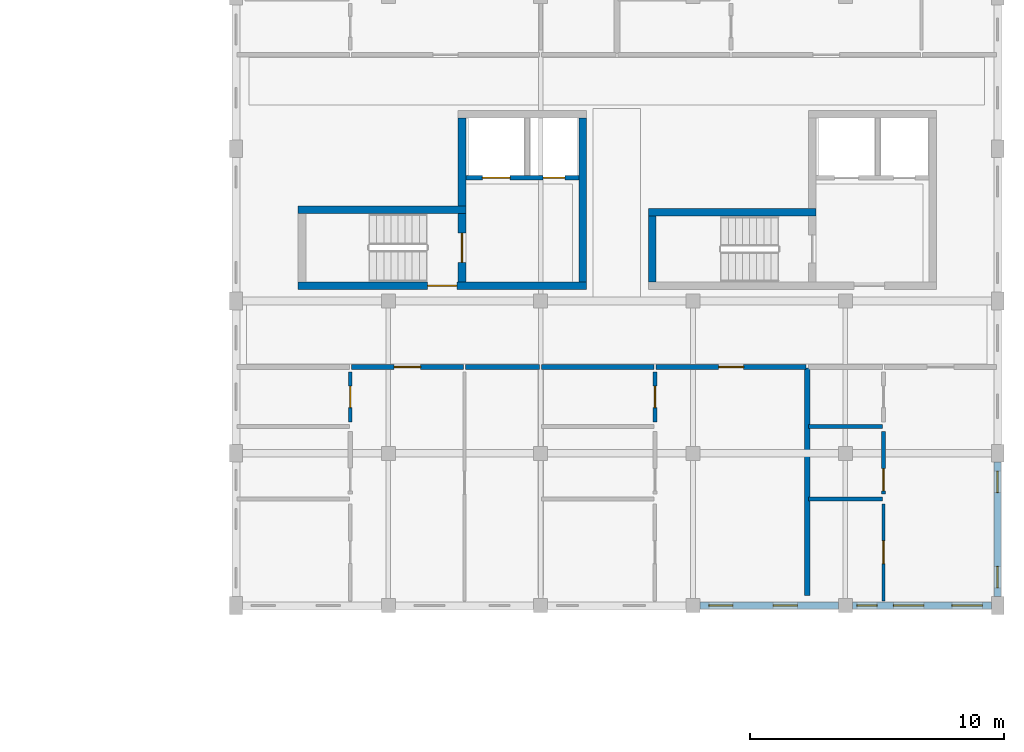
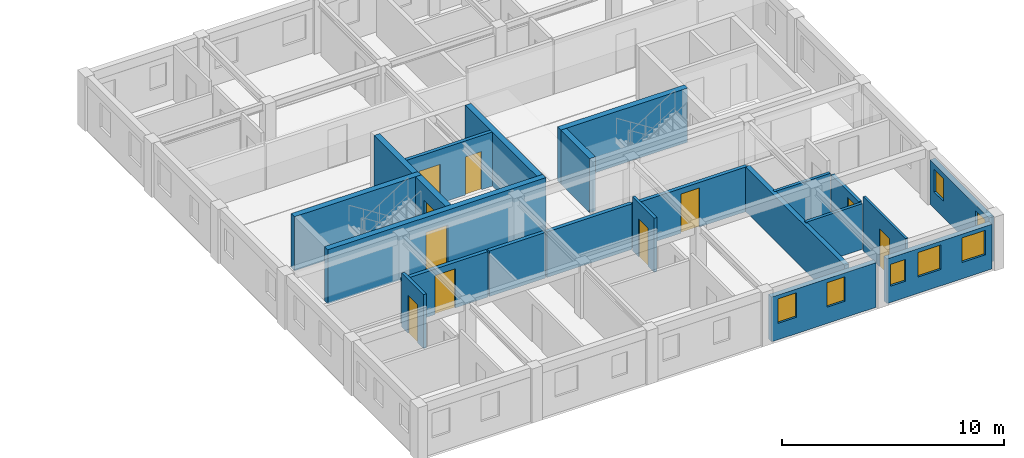
# One storey, part 21 of 28: 22 walls, 10 doors, 7 windows, 17 openings.
"""IFC4 building model written with IfcOpenShell, lengths in metres."""

from ifc_helpers import new_model, si_unit, direction, frame, frame_2d, origin, place, context, subcontext, project, spatial, rectangle, extrude, material, layer, layer_set, type_object, element, fill, save


model = new_model("IFC4")

# Units and contexts
model_context = context("Model", 3, precision=1e-05, world=origin(), true_north=direction((0.0, 1.0)))
body_context = subcontext(model_context, "Body", "Model", "MODEL_VIEW")
ifc_project = project(units=[si_unit("LENGTHUNIT", "METRE"), si_unit("AREAUNIT", "SQUARE_METRE"), si_unit("VOLUMEUNIT", "CUBIC_METRE"), si_unit("PLANEANGLEUNIT", "RADIAN"), si_unit("MASSUNIT", "GRAM", prefix="KILO"), si_unit("POWERUNIT", "WATT"), si_unit("THERMODYNAMICTEMPERATUREUNIT", "KELVIN")], contexts=[model_context])

# Site, building, storey
site_placement = place(None, origin())
site = spatial("IfcSite", under=ifc_project, at=site_placement, CompositionType="ELEMENT")
building_placement = place(site_placement, origin())
building = spatial("IfcBuilding", under=site, at=building_placement, Name="Ruvembo Vaulted Housing Court", CompositionType="ELEMENT")
storey_placement = place(building_placement, frame((0.0, 0.0, 23.699951171875)))
storey = spatial("IfcBuildingStorey", under=building, at=storey_placement, Name="L07", CompositionType="ELEMENT", Elevation=23.699951171875)

# Wall, opening, door
ifc_material_1 = material(Name="Concrete C35/45", Category="concrete")
ifc_layer_1 = layer(ifc_material_1, 0.300048828125, Name="Concrete C35/45")
ifc_layer_set_1 = layer_set([ifc_layer_1], Name="Concrete C35/45")
wall_type_1 = type_object("IfcWallType", Name="WL-CORE-300", PredefinedType="SHEAR", material=ifc_layer_set_1)
wall_1_placement = place(storey_placement, frame((158.449951171875, 84.60009765625, 0.0), z_axis=(0.0, 0.0, 1.0), x_axis=(1.0, 0.0, 0.0)))
wall_1 = element("IfcWall", 1, at=wall_1_placement, inside=storey, type_object=wall_type_1, Name="Core D1 L07 South Shear Wall", PredefinedType="SHEAR", context=body_context, shape_type="SweptSolid", body=[
    extrude(rectangle(XDim=11.35009765625, YDim=0.300048828125, at=frame_2d((5.675048828125, 0.0))), origin(), (0.0, 0.0, 1.0), 2.97509765625),
])
opening_1_placement = place(wall_1_placement, frame((5.10009765625, 0.0, 0.0)))
opening_1 = element("IfcOpeningElement", 2, at=opening_1_placement, cuts=wall_1, Name="Opening LD0", PredefinedType="OPENING", context=body_context, shape_type="SweptSolid", body=[
    extrude(rectangle(XDim=1.14990234375, YDim=2.14990234375, at=frame_2d((0.574951171875, 1.074951171875))), frame((0.0, 0.159912109375, 0.0), z_axis=(0.0, -1.0, 0.0), x_axis=(1.0, 0.0, 0.0)), (0.0, 0.0, 1.0), 0.320068359375),
])
ifc_material_2 = material(Name="Galvanised Painted Steel", Category="steel")
door_type_1 = type_object("IfcDoorType", Name="DR-LOB-1150x2150", OperationType="NOTDEFINED", PredefinedType="DOOR", material=ifc_material_2)
door_1_placement = place(opening_1_placement, origin())
door_1 = element("IfcDoor", 3, at=door_1_placement, inside=storey, type_object=door_type_1, Name="Core D1 L07 Lobby Fire Door", OperationType="SINGLE_SWING_LEFT", OverallHeight=2.14990234375, OverallWidth=1.14990234375, PredefinedType="DOOR", context=body_context, shape_type="SweptSolid", body=[
    extrude(rectangle(XDim=1.14990234375, YDim=2.14990234375, at=frame_2d((0.574951171875, 1.074951171875))), frame((0.0, 0.02490234375, 0.0), z_axis=(0.0, -1.0, 0.0), x_axis=(1.0, 0.0, 0.0)), (0.0, 0.0, 1.0), 0.050048828125),
])
fill(opening_1, door_1)

# Wall
wall_2_placement = place(storey_placement, frame((165.050048828125, 87.60009765625, 0.0), z_axis=(0.0, 0.0, 1.0), x_axis=(-1.0, 0.0, 0.0)))
element("IfcWall", 4, at=wall_2_placement, inside=storey, type_object=wall_type_1, Name="Core D1 L07 Stair North Shear Wall", PredefinedType="SHEAR", context=body_context, shape_type="SweptSolid", body=[
    extrude(rectangle(XDim=6.60009765625, YDim=0.300048828125, at=frame_2d((3.300048828125, 0.0))), origin(), (0.0, 0.0, 1.0), 2.97509765625),
])

# Wall, opening, door
wall_3_placement = place(storey_placement, frame((164.89990234375, 84.75, 0.0), z_axis=(0.0, 0.0, 1.0), x_axis=(0.0, 1.0, 0.0)))
wall_3 = element("IfcWall", 5, at=wall_3_placement, inside=storey, type_object=wall_type_1, Name="Core D1 L07 Stair-Lobby Shear Wall", PredefinedType="SHEAR", context=body_context, shape_type="SweptSolid", body=[
    extrude(rectangle(XDim=2.699951171875, YDim=0.300048828125, at=frame_2d((1.35009765625, 0.0))), origin(), (0.0, 0.0, 1.0), 2.97509765625),
])
opening_2_placement = place(wall_3_placement, frame((0.77490234375, 0.0, 0.0)))
opening_2 = element("IfcOpeningElement", 6, at=opening_2_placement, cuts=wall_3, Name="Opening SD1", PredefinedType="OPENING", context=body_context, shape_type="SweptSolid", body=[
    extrude(rectangle(XDim=1.14990234375, YDim=2.14990234375, at=frame_2d((0.574951171875, 1.074951171875))), frame((0.0, 0.159912109375, 0.0), z_axis=(0.0, -1.0, 0.0), x_axis=(1.0, 0.0, 0.0)), (0.0, 0.0, 1.0), 0.320068359375),
])
door_type_2 = type_object("IfcDoorType", Name="DR-STAIR-1150x2150", OperationType="NOTDEFINED", PredefinedType="DOOR", material=ifc_material_2)
door_2_placement = place(opening_2_placement, origin())
door_2 = element("IfcDoor", 7, at=door_2_placement, inside=storey, type_object=door_type_2, Name="Stair ST-D1 L07 Fire Door", OperationType="SINGLE_SWING_RIGHT", OverallHeight=2.14990234375, OverallWidth=1.14990234375, PredefinedType="DOOR", context=body_context, shape_type="SweptSolid", body=[
    extrude(rectangle(XDim=1.14990234375, YDim=2.14990234375, at=frame_2d((0.574951171875, 1.074951171875))), frame((0.0, 0.02490234375, 0.0), z_axis=(0.0, -1.0, 0.0), x_axis=(1.0, 0.0, 0.0)), (0.0, 0.0, 1.0), 0.050048828125),
])
fill(opening_2, door_2)

# Walls
wall_4_placement = place(storey_placement, frame((169.64990234375, 84.75, 0.0), z_axis=(0.0, 0.0, 1.0), x_axis=(0.0, 1.0, 0.0)))
element("IfcWall", 8, at=wall_4_placement, inside=storey, type_object=wall_type_1, Name="Core D1 L07 East Shear Wall", PredefinedType="SHEAR", context=body_context, shape_type="SweptSolid", body=[
    extrude(rectangle(XDim=6.449951171875, YDim=0.300048828125, at=frame_2d((3.22509765625, 0.0))), origin(), (0.0, 0.0, 1.0), 2.97509765625),
])
wall_5_placement = place(storey_placement, frame((164.89990234375, 87.75, 0.0), z_axis=(0.0, 0.0, 1.0), x_axis=(0.0, 1.0, 0.0)))
element("IfcWall", 9, at=wall_5_placement, inside=storey, type_object=wall_type_1, Name="Core D1 L07 Upper West Shear Wall", PredefinedType="SHEAR", context=body_context, shape_type="SweptSolid", body=[
    extrude(rectangle(XDim=3.449951171875, YDim=0.300048828125, at=frame_2d((1.72509765625, 0.0))), origin(), (0.0, 0.0, 1.0), 2.97509765625),
])
wall_6_placement = place(storey_placement, frame((178.85009765625, 87.5, 0.0), z_axis=(0.0, 0.0, 1.0), x_axis=(-1.0, 0.0, 0.0)))
element("IfcWall", 10, at=wall_6_placement, inside=storey, type_object=wall_type_1, Name="Core D2 L07 Stair North Shear Wall", PredefinedType="SHEAR", context=body_context, shape_type="SweptSolid", body=[
    extrude(rectangle(XDim=6.60009765625, YDim=0.300048828125, at=frame_2d((3.300048828125, 0.0))), origin(), (0.0, 0.0, 1.0), 2.97509765625),
])
wall_7_placement = place(storey_placement, frame((172.39990234375, 87.35009765625, 0.0), z_axis=(0.0, 0.0, 1.0), x_axis=(0.0, -1.0, 0.0)))
element("IfcWall", 11, at=wall_7_placement, inside=storey, type_object=wall_type_1, Name="Core D2 L07 Stair West Shear Wall", PredefinedType="SHEAR", context=body_context, shape_type="SweptSolid", body=[
    extrude(rectangle(XDim=2.60009765625, YDim=0.300048828125, at=frame_2d((1.300048828125, 0.0))), origin(), (0.0, 0.0, 1.0), 2.97509765625),
])

# Wall, opening, door
ifc_material_3 = material(Name="Concrete Blockwork 190", Category="masonry")
ifc_layer_2 = layer(ifc_material_3, 0.18994140625, Name="Concrete Blockwork 190")
ifc_layer_set_2 = layer_set([ifc_layer_2], Name="Concrete Blockwork 190")
wall_type_2 = type_object("IfcWallType", Name="WL-CORR-190", PredefinedType="SOLIDWALL", material=ifc_layer_set_2)
wall_8_placement = place(storey_placement, frame((160.5400390625, 81.39990234375, 0.0), z_axis=(0.0, 0.0, 1.0), x_axis=(1.0, 0.0, 0.0)))
wall_8 = element("IfcWall", 12, at=wall_8_placement, inside=storey, type_object=wall_type_2, Name="L07 Flat D-L07-S1 Entrance WL-INT-L07-01975", PredefinedType="SOLIDWALL", context=body_context, shape_type="SweptSolid", body=[
    extrude(rectangle(XDim=4.419921875, YDim=0.18994140625, at=frame_2d((2.2099609375, 0.0))), origin(), (0.0, 0.0, 1.0), 2.508056640625),
])
opening_3_placement = place(wall_8_placement, frame((1.68505859375, 0.0, 0.0)))
opening_3 = element("IfcOpeningElement", 13, at=opening_3_placement, cuts=wall_8, Name="Opening FD3", PredefinedType="OPENING", context=body_context, shape_type="SweptSolid", body=[
    extrude(rectangle(XDim=1.050048828125, YDim=2.14990234375, at=frame_2d((0.52490234375, 1.074951171875))), frame((0.0, 0.10498046875, 0.0), z_axis=(0.0, -1.0, 0.0), x_axis=(1.0, 0.0, 0.0)), (0.0, 0.0, 1.0), 0.2099609375),
])
ifc_material_4 = material(Name="FSC Hardwood and Engineered Timber", Category="wood")
door_type_3 = type_object("IfcDoorType", Name="DR-FLAT-1050x2150", OperationType="NOTDEFINED", PredefinedType="DOOR", material=ifc_material_4)
door_3_placement = place(opening_3_placement, origin())
door_3 = element("IfcDoor", 14, at=door_3_placement, inside=storey, type_object=door_type_3, Name="L07 Flat D-L07-S1 Entrance Door DR-INT-L07-01106", OperationType="SINGLE_SWING_RIGHT", OverallHeight=2.14990234375, OverallWidth=1.050048828125, PredefinedType="DOOR", context=body_context, shape_type="SweptSolid", body=[
    extrude(rectangle(XDim=1.050048828125, YDim=2.14990234375, at=frame_2d((0.52490234375, 1.074951171875))), frame((0.0, 0.02490234375, 0.0), z_axis=(0.0, -1.0, 0.0), x_axis=(1.0, 0.0, 0.0)), (0.0, 0.0, 1.0), 0.050048828125),
])
fill(opening_3, door_3)

# Walls
wall_9_placement = place(storey_placement, frame((165.0400390625, 81.39990234375, 0.0), z_axis=(0.0, 0.0, 1.0), x_axis=(1.0, 0.0, 0.0)))
element("IfcWall", 15, at=wall_9_placement, inside=storey, type_object=wall_type_2, Name="L07 Flat D-L07-S1 Corridor Wall 2 WL-INT-L07-01981", PredefinedType="SOLIDWALL", context=body_context, shape_type="SweptSolid", body=[
    extrude(rectangle(XDim=2.919921875, YDim=0.18994140625, at=frame_2d((1.4599609375, 0.0))), origin(), (0.0, 0.0, 1.0), 2.508056640625),
])
wall_10_placement = place(storey_placement, frame((168.0400390625, 81.39990234375, 0.0), z_axis=(0.0, 0.0, 1.0), x_axis=(1.0, 0.0, 0.0)))
element("IfcWall", 16, at=wall_10_placement, inside=storey, type_object=wall_type_2, Name="L07 Flat D-L07-S2 Corridor Wall WL-INT-L07-01984", PredefinedType="SOLIDWALL", context=body_context, shape_type="SweptSolid", body=[
    extrude(rectangle(XDim=4.419921875, YDim=0.18994140625, at=frame_2d((2.2099609375, 0.0))), origin(), (0.0, 0.0, 1.0), 2.508056640625),
])

# Wall, opening, door
wall_11_placement = place(storey_placement, frame((172.5400390625, 81.39990234375, 0.0), z_axis=(0.0, 0.0, 1.0), x_axis=(1.0, 0.0, 0.0)))
wall_11 = element("IfcWall", 17, at=wall_11_placement, inside=storey, type_object=wall_type_2, Name="L07 Flat D-L07-S2 Entrance WL-INT-L07-01985", PredefinedType="SOLIDWALL", context=body_context, shape_type="SweptSolid", body=[
    extrude(rectangle(XDim=5.919921875, YDim=0.18994140625, at=frame_2d((2.9599609375, 0.0))), origin(), (0.0, 0.0, 1.0), 2.4580078125),
])
opening_4_placement = place(wall_11_placement, frame((2.469970703125, 0.0, 0.0)))
opening_4 = element("IfcOpeningElement", 18, at=opening_4_placement, cuts=wall_11, Name="Opening FD2", PredefinedType="OPENING", context=body_context, shape_type="SweptSolid", body=[
    extrude(rectangle(XDim=0.97998046875, YDim=2.14990234375, at=frame_2d((0.489990234375, 1.074951171875))), frame((0.0, 0.10498046875, 0.0), z_axis=(0.0, -1.0, 0.0), x_axis=(1.0, 0.0, 0.0)), (0.0, 0.0, 1.0), 0.2099609375),
])
door_type_4 = type_object("IfcDoorType", Name="DR-FLAT-0980x2150", OperationType="NOTDEFINED", PredefinedType="DOOR", material=ifc_material_4)
door_4_placement = place(opening_4_placement, origin())
door_4 = element("IfcDoor", 19, at=door_4_placement, inside=storey, type_object=door_type_4, Name="L07 Flat D-L07-S2 Entrance Door DR-INT-L07-01111", OperationType="SINGLE_SWING_LEFT", OverallHeight=2.14990234375, OverallWidth=0.97998046875, PredefinedType="DOOR", context=body_context, shape_type="SweptSolid", body=[
    extrude(rectangle(XDim=0.97998046875, YDim=2.14990234375, at=frame_2d((0.489990234375, 1.074951171875))), frame((0.0, 0.02490234375, 0.0), z_axis=(0.0, -1.0, 0.0), x_axis=(1.0, 0.0, 0.0)), (0.0, 0.0, 1.0), 0.050048828125),
])
fill(opening_4, door_4)

# Wall
ifc_material_5 = material(Name="Acoustic Masonry Demising 230", Category="masonry")
ifc_layer_3 = layer(ifc_material_5, 0.22998046875, Name="Acoustic Masonry Demising 230")
ifc_layer_set_3 = layer_set([ifc_layer_3], Name="Acoustic Masonry Demising 230")
wall_type_3 = type_object("IfcWallType", Name="WL-DEM-230", PredefinedType="SOLIDWALL", material=ifc_layer_set_3)
wall_12_placement = place(storey_placement, frame((178.5, 72.389892578125, 0.0), z_axis=(0.0, 0.0, 1.0), x_axis=(0.0, 1.0, 0.0)))
element("IfcWall", 20, at=wall_12_placement, inside=storey, type_object=wall_type_3, Name="L07 Demising D-L07-S2 WL-INT-L07-01983", PredefinedType="SOLIDWALL", context=body_context, shape_type="SweptSolid", body=[
    extrude(rectangle(XDim=8.97021484375, YDim=0.22998046875, at=frame_2d((4.485107421875, 0.0))), origin(), (0.0, 0.0, 1.0), 2.45703125),
])

# Wall, openings, windows
ifc_material_6 = material(Name="Rendered Masonry 270", Category="masonry")
ifc_layer_4 = layer(ifc_material_6, 0.27001953125, Name="Rendered Masonry 270")
ifc_layer_set_4 = layer_set([ifc_layer_4], Name="Rendered Masonry 270")
wall_type_4 = type_object("IfcWallType", Name="WL-EXT-270", PredefinedType="STANDARD", material=ifc_layer_set_4)
wall_13_placement = place(storey_placement, frame((174.27490234375, 72.0, 0.0), z_axis=(0.0, 0.0, 1.0), x_axis=(1.0, 0.0, 0.0)))
wall_13 = element("IfcWall", 21, at=wall_13_placement, inside=storey, type_object=wall_type_4, Name="Block D L07 Exterior Wall COURTYARD #4", PredefinedType="STANDARD", context=body_context, shape_type="SweptSolid", body=[
    extrude(rectangle(XDim=5.4501953125, YDim=0.27001953125, at=frame_2d((2.72509765625, 0.0))), origin(), (0.0, 0.0, 1.0), 2.45703125),
])
opening_5_placement = place(wall_13_placement, frame((0.35009765625, 0.0, 0.89990234375)))
opening_5 = element("IfcOpeningElement", 22, at=opening_5_placement, cuts=wall_13, Name="Opening W07", PredefinedType="OPENING", context=body_context, shape_type="SweptSolid", body=[
    extrude(rectangle(XDim=0.949951171875, YDim=1.35009765625, at=frame_2d((0.47509765625, 0.675048828125))), frame((0.0, 0.14501953125, 0.0), z_axis=(0.0, -1.0, 0.0), x_axis=(1.0, 0.0, 0.0)), (0.0, 0.0, 1.0), 0.2900390625),
])
opening_6_placement = place(wall_13_placement, frame((2.885009765625, 0.0, 0.89990234375)))
opening_6 = element("IfcOpeningElement", 23, at=opening_6_placement, cuts=wall_13, Name="Opening W07", PredefinedType="OPENING", context=body_context, shape_type="SweptSolid", body=[
    extrude(rectangle(XDim=0.949951171875, YDim=1.35009765625, at=frame_2d((0.47509765625, 0.675048828125))), frame((0.0, 0.14501953125, 0.0), z_axis=(0.0, -1.0, 0.0), x_axis=(1.0, 0.0, 0.0)), (0.0, 0.0, 1.0), 0.2900390625),
])
ifc_material_7 = material(Name="Double Solar-Control Glazing in Aluminium Frame", Category="aluminium")
window_type_1 = type_object("IfcWindowType", Name="WIN-0950x1350", PartitioningType="SINGLE_PANEL", PredefinedType="WINDOW", material=ifc_material_7)
window_1_placement = place(opening_5_placement, origin())
window_1 = element("IfcWindow", 24, at=window_1_placement, inside=storey, type_object=window_type_1, Name="Block D L07 Window #1749", OverallHeight=1.35009765625, OverallWidth=0.949951171875, PartitioningType="SINGLE_PANEL", PredefinedType="WINDOW", context=body_context, shape_type="SweptSolid", body=[
    extrude(rectangle(XDim=0.949951171875, YDim=1.35009765625, at=frame_2d((0.47509765625, 0.675048828125))), frame((0.0, 0.030029296875, 0.0), z_axis=(0.0, -1.0, 0.0), x_axis=(1.0, 0.0, 0.0)), (0.0, 0.0, 1.0), 0.06005859375),
])
fill(opening_5, window_1)
window_2_placement = place(opening_6_placement, origin())
window_2 = element("IfcWindow", 25, at=window_2_placement, inside=storey, type_object=window_type_1, Name="Block D L07 Window #1750", OverallHeight=1.35009765625, OverallWidth=0.949951171875, PartitioningType="SINGLE_PANEL", PredefinedType="WINDOW", context=body_context, shape_type="SweptSolid", body=[
    extrude(rectangle(XDim=0.949951171875, YDim=1.35009765625, at=frame_2d((0.47509765625, 0.675048828125))), frame((0.0, 0.030029296875, 0.0), z_axis=(0.0, -1.0, 0.0), x_axis=(1.0, 0.0, 0.0)), (0.0, 0.0, 1.0), 0.06005859375),
])
fill(opening_6, window_2)

wall_14_placement = place(storey_placement, frame((180.27490234375, 72.0, 0.0), z_axis=(0.0, 0.0, 1.0), x_axis=(1.0, 0.0, 0.0)))
wall_14 = element("IfcWall", 26, at=wall_14_placement, inside=storey, type_object=wall_type_4, Name="Block D L07 Exterior Wall COURTYARD #5", PredefinedType="STANDARD", context=body_context, shape_type="SweptSolid", body=[
    extrude(rectangle(XDim=5.47509765625, YDim=0.27001953125, at=frame_2d((2.737548828125, 0.0))), origin(), (0.0, 0.0, 1.0), 2.45703125),
])
opening_7_placement = place(wall_14_placement, frame((1.614990234375, 0.0, 0.89990234375)))
opening_7 = element("IfcOpeningElement", 27, at=opening_7_placement, cuts=wall_14, Name="Opening W12", PredefinedType="OPENING", context=body_context, shape_type="SweptSolid", body=[
    extrude(rectangle(XDim=1.199951171875, YDim=1.35009765625, at=frame_2d((0.60009765625, 0.675048828125))), frame((0.0, 0.14501953125, 0.0), z_axis=(0.0, -1.0, 0.0), x_axis=(1.0, 0.0, 0.0)), (0.0, 0.0, 1.0), 0.2900390625),
])
opening_8_placement = place(wall_14_placement, frame((3.925048828125, 0.0, 0.89990234375)))
opening_8 = element("IfcOpeningElement", 28, at=opening_8_placement, cuts=wall_14, Name="Opening W12", PredefinedType="OPENING", context=body_context, shape_type="SweptSolid", body=[
    extrude(rectangle(XDim=1.199951171875, YDim=1.35009765625, at=frame_2d((0.60009765625, 0.675048828125))), frame((0.0, 0.14501953125, 0.0), z_axis=(0.0, -1.0, 0.0), x_axis=(1.0, 0.0, 0.0)), (0.0, 0.0, 1.0), 0.2900390625),
])
opening_9_placement = place(wall_14_placement, frame((0.18115234375, 0.0, 0.89990234375)))
opening_9 = element("IfcOpeningElement", 29, at=opening_9_placement, cuts=wall_14, Name="Opening W02", PredefinedType="OPENING", context=body_context, shape_type="SweptSolid", body=[
    extrude(rectangle(XDim=0.800048828125, YDim=1.199951171875, at=frame_2d((0.39990234375, 0.60009765625))), frame((0.0, 0.14501953125, 0.0), z_axis=(0.0, -1.0, 0.0), x_axis=(1.0, 0.0, 0.0)), (0.0, 0.0, 1.0), 0.2900390625),
])
window_type_2 = type_object("IfcWindowType", Name="WIN-0800x1200", PartitioningType="SINGLE_PANEL", PredefinedType="WINDOW", material=ifc_material_7)
window_3_placement = place(opening_9_placement, origin())
window_3 = element("IfcWindow", 30, at=window_3_placement, inside=storey, type_object=window_type_2, Name="Block D L07 Window #2080", OverallHeight=1.199951171875, OverallWidth=0.800048828125, PartitioningType="SINGLE_PANEL", PredefinedType="WINDOW", context=body_context, shape_type="SweptSolid", body=[
    extrude(rectangle(XDim=0.800048828125, YDim=1.199951171875, at=frame_2d((0.39990234375, 0.60009765625))), frame((0.0, 0.030029296875, 0.0), z_axis=(0.0, -1.0, 0.0), x_axis=(1.0, 0.0, 0.0)), (0.0, 0.0, 1.0), 0.06005859375),
])
fill(opening_9, window_3)
window_type_3 = type_object("IfcWindowType", Name="WIN-1200x1350", PartitioningType="SINGLE_PANEL", PredefinedType="WINDOW", material=ifc_material_7)
window_4_placement = place(opening_7_placement, origin())
window_4 = element("IfcWindow", 31, at=window_4_placement, inside=storey, type_object=window_type_3, Name="Block D L07 Window #1751", OverallHeight=1.35009765625, OverallWidth=1.199951171875, PartitioningType="SINGLE_PANEL", PredefinedType="WINDOW", context=body_context, shape_type="SweptSolid", body=[
    extrude(rectangle(XDim=1.199951171875, YDim=1.35009765625, at=frame_2d((0.60009765625, 0.675048828125))), frame((0.0, 0.030029296875, 0.0), z_axis=(0.0, -1.0, 0.0), x_axis=(1.0, 0.0, 0.0)), (0.0, 0.0, 1.0), 0.06005859375),
])
fill(opening_7, window_4)
window_5_placement = place(opening_8_placement, origin())
window_5 = element("IfcWindow", 32, at=window_5_placement, inside=storey, type_object=window_type_3, Name="Block D L07 Window #1752", OverallHeight=1.35009765625, OverallWidth=1.199951171875, PartitioningType="SINGLE_PANEL", PredefinedType="WINDOW", context=body_context, shape_type="SweptSolid", body=[
    extrude(rectangle(XDim=1.199951171875, YDim=1.35009765625, at=frame_2d((0.60009765625, 0.675048828125))), frame((0.0, 0.030029296875, 0.0), z_axis=(0.0, -1.0, 0.0), x_axis=(1.0, 0.0, 0.0)), (0.0, 0.0, 1.0), 0.06005859375),
])
fill(opening_8, window_5)

wall_15_placement = place(storey_placement, frame((186.0, 72.35009765625, 0.0), z_axis=(0.0, 0.0, 1.0), x_axis=(0.0, 1.0, 0.0)))
wall_15 = element("IfcWall", 33, at=wall_15_placement, inside=storey, type_object=wall_type_4, Name="Block D L07 Exterior Wall EAST #1", PredefinedType="STANDARD", context=body_context, shape_type="SweptSolid", body=[
    extrude(rectangle(XDim=5.2998046875, YDim=0.27001953125, at=frame_2d((2.64990234375, 0.0))), origin(), (0.0, 0.0, 1.0), 2.45703125),
])
opening_10_placement = place(wall_15_placement, frame((0.35009765625, 0.0, 0.89990234375)))
opening_10 = element("IfcOpeningElement", 34, at=opening_10_placement, cuts=wall_15, Name="Opening W03", PredefinedType="OPENING", context=body_context, shape_type="SweptSolid", body=[
    extrude(rectangle(XDim=0.85009765625, YDim=1.25, at=frame_2d((0.425048828125, 0.625))), frame((0.0, 0.14501953125, 0.0), z_axis=(0.0, -1.0, 0.0), x_axis=(1.0, 0.0, 0.0)), (0.0, 0.0, 1.0), 0.2900390625),
])
opening_11_placement = place(wall_15_placement, frame((4.10009765625, 0.0, 0.89990234375)))
opening_11 = element("IfcOpeningElement", 35, at=opening_11_placement, cuts=wall_15, Name="Opening W03", PredefinedType="OPENING", context=body_context, shape_type="SweptSolid", body=[
    extrude(rectangle(XDim=0.85009765625, YDim=1.25, at=frame_2d((0.425048828125, 0.625))), frame((0.0, 0.14501953125, 0.0), z_axis=(0.0, -1.0, 0.0), x_axis=(1.0, 0.0, 0.0)), (0.0, 0.0, 1.0), 0.2900390625),
])
window_type_4 = type_object("IfcWindowType", Name="WIN-0850x1250", PartitioningType="SINGLE_PANEL", PredefinedType="WINDOW", material=ifc_material_7)
window_6_placement = place(opening_10_placement, origin())
window_6 = element("IfcWindow", 36, at=window_6_placement, inside=storey, type_object=window_type_4, Name="Block D L07 Window #1753", OverallHeight=1.25, OverallWidth=0.85009765625, PartitioningType="SINGLE_PANEL", PredefinedType="WINDOW", context=body_context, shape_type="SweptSolid", body=[
    extrude(rectangle(XDim=0.85009765625, YDim=1.25, at=frame_2d((0.425048828125, 0.625))), frame((0.0, 0.030029296875, 0.0), z_axis=(0.0, -1.0, 0.0), x_axis=(1.0, 0.0, 0.0)), (0.0, 0.0, 1.0), 0.06005859375),
])
fill(opening_10, window_6)
window_7_placement = place(opening_11_placement, origin())
window_7 = element("IfcWindow", 37, at=window_7_placement, inside=storey, type_object=window_type_4, Name="Block D L07 Window #1754", OverallHeight=1.25, OverallWidth=0.85009765625, PartitioningType="SINGLE_PANEL", PredefinedType="WINDOW", context=body_context, shape_type="SweptSolid", body=[
    extrude(rectangle(XDim=0.85009765625, YDim=1.25, at=frame_2d((0.425048828125, 0.625))), frame((0.0, 0.030029296875, 0.0), z_axis=(0.0, -1.0, 0.0), x_axis=(1.0, 0.0, 0.0)), (0.0, 0.0, 1.0), 0.06005859375),
])
fill(opening_11, window_7)

# Wall, opening, door
ifc_material_8 = material(Name="Plasterboard Stud Partition 125", Category="gypsum")
ifc_layer_5 = layer(ifc_material_8, 0.125, Name="Plasterboard Stud Partition 125")
ifc_layer_set_5 = layer_set([ifc_layer_5], Name="Plasterboard Stud Partition 125")
wall_type_5 = type_object("IfcWallType", Name="WL-PART-125", PredefinedType="PARTITIONING", material=ifc_layer_set_5)
wall_16_placement = place(storey_placement, frame((181.5, 72.18994140625, 0.0), z_axis=(0.0, 0.0, 1.0), x_axis=(0.0, 1.0, 0.0)))
wall_16 = element("IfcWall", 38, at=wall_16_placement, inside=storey, type_object=wall_type_5, Name="L07 Flat D-L07-S3 Bedroom 1 WL-INT-L07-01993", PredefinedType="PARTITIONING", context=body_context, shape_type="SweptSolid", body=[
    extrude(rectangle(XDim=3.820068359375, YDim=0.125, at=frame_2d((1.91015625, 0.0))), origin(), (0.0, 0.0, 1.0), 2.97509765625),
])
opening_12_placement = place(wall_16_placement, frame((1.4599609375, 0.0, 0.0)))
opening_12 = element("IfcOpeningElement", 39, at=opening_12_placement, cuts=wall_16, Name="Opening ID1", PredefinedType="OPENING", context=body_context, shape_type="SweptSolid", body=[
    extrude(rectangle(XDim=0.89990234375, YDim=2.10009765625, at=frame_2d((0.449951171875, 1.050048828125))), frame((0.0, 0.072509765625, 0.0), z_axis=(0.0, -1.0, 0.0), x_axis=(1.0, 0.0, 0.0)), (0.0, 0.0, 1.0), 0.14501953125),
])
door_type_5 = type_object("IfcDoorType", Name="DR-ROOM-0900x2100", OperationType="NOTDEFINED", PredefinedType="DOOR", material=ifc_material_4)
door_5_placement = place(opening_12_placement, origin())
door_5 = element("IfcDoor", 40, at=door_5_placement, inside=storey, type_object=door_type_5, Name="L07 Flat D-L07-S3 Bedroom 1 Door DR-INT-L07-01116", OperationType="SINGLE_SWING_RIGHT", OverallHeight=2.10009765625, OverallWidth=0.89990234375, PredefinedType="DOOR", context=body_context, shape_type="SweptSolid", body=[
    extrude(rectangle(XDim=0.89990234375, YDim=2.10009765625, at=frame_2d((0.449951171875, 1.050048828125))), frame((0.0, 0.02490234375, 0.0), z_axis=(0.0, -1.0, 0.0), x_axis=(1.0, 0.0, 0.0)), (0.0, 0.0, 1.0), 0.050048828125),
])
fill(opening_12, door_5)

ifc_material_9 = material(Name="Moisture-Resistant Wet Partition 150", Category="gypsum")
ifc_layer_6 = layer(ifc_material_9, 0.14990234375, Name="Moisture-Resistant Wet Partition 150")
ifc_layer_set_6 = layer_set([ifc_layer_6], Name="Moisture-Resistant Wet Partition 150")
wall_type_6 = type_object("IfcWallType", Name="WL-PART-150", PredefinedType="PARTITIONING", material=ifc_layer_set_6)
wall_17_placement = place(storey_placement, frame((160.5, 79.239990234375, 0.0), z_axis=(0.0, 0.0, 1.0), x_axis=(0.0, 1.0, 0.0)))
wall_17 = element("IfcWall", 41, at=wall_17_placement, inside=storey, type_object=wall_type_6, Name="L07 Flat D-L07-S1 Bathroom WL-INT-L07-01978", PredefinedType="PARTITIONING", context=body_context, shape_type="SweptSolid", body=[
    extrude(rectangle(XDim=1.969970703125, YDim=0.14990234375, at=frame_2d((0.98486328125, 0.0))), origin(), (0.0, 0.0, 1.0), 2.97509765625),
])
opening_13_placement = place(wall_17_placement, frame((0.56005859375, 0.0, 0.0)))
opening_13 = element("IfcOpeningElement", 42, at=opening_13_placement, cuts=wall_17, Name="Opening ID2", PredefinedType="OPENING", context=body_context, shape_type="SweptSolid", body=[
    extrude(rectangle(XDim=0.85009765625, YDim=2.10009765625, at=frame_2d((0.425048828125, 1.050048828125))), frame((0.0, 0.0849609375, 0.0), z_axis=(0.0, -1.0, 0.0), x_axis=(1.0, 0.0, 0.0)), (0.0, 0.0, 1.0), 0.169921875),
])
door_type_6 = type_object("IfcDoorType", Name="DR-WET-0850x2100", OperationType="NOTDEFINED", PredefinedType="DOOR", material=ifc_material_4)
door_6_placement = place(opening_13_placement, origin())
door_6 = element("IfcDoor", 43, at=door_6_placement, inside=storey, type_object=door_type_6, Name="L07 Flat D-L07-S1 Bathroom Door DR-INT-L07-01109", OperationType="SINGLE_SWING_LEFT", OverallHeight=2.10009765625, OverallWidth=0.85009765625, PredefinedType="DOOR", context=body_context, shape_type="SweptSolid", body=[
    extrude(rectangle(XDim=0.85009765625, YDim=2.10009765625, at=frame_2d((0.425048828125, 1.050048828125))), frame((0.0, 0.02490234375, 0.0), z_axis=(0.0, -1.0, 0.0), x_axis=(1.0, 0.0, 0.0)), (0.0, 0.0, 1.0), 0.050048828125),
])
fill(opening_13, door_6)

wall_18_placement = place(storey_placement, frame((172.5, 79.239990234375, 0.0), z_axis=(0.0, 0.0, 1.0), x_axis=(0.0, 1.0, 0.0)))
wall_18 = element("IfcWall", 44, at=wall_18_placement, inside=storey, type_object=wall_type_6, Name="L07 Flat D-L07-S2 Bathroom WL-INT-L07-01988", PredefinedType="PARTITIONING", context=body_context, shape_type="SweptSolid", body=[
    extrude(rectangle(XDim=1.969970703125, YDim=0.14990234375, at=frame_2d((0.98486328125, 0.0))), origin(), (0.0, 0.0, 1.0), 2.97509765625),
])
opening_14_placement = place(wall_18_placement, frame((0.56005859375, 0.0, 0.0)))
opening_14 = element("IfcOpeningElement", 45, at=opening_14_placement, cuts=wall_18, Name="Opening ID2", PredefinedType="OPENING", context=body_context, shape_type="SweptSolid", body=[
    extrude(rectangle(XDim=0.85009765625, YDim=2.10009765625, at=frame_2d((0.425048828125, 1.050048828125))), frame((0.0, 0.0849609375, 0.0), z_axis=(0.0, -1.0, 0.0), x_axis=(1.0, 0.0, 0.0)), (0.0, 0.0, 1.0), 0.169921875),
])
door_7_placement = place(opening_14_placement, origin())
door_7 = element("IfcDoor", 46, at=door_7_placement, inside=storey, type_object=door_type_6, Name="L07 Flat D-L07-S2 Bathroom Door DR-INT-L07-01114", OperationType="SINGLE_SWING_RIGHT", OverallHeight=2.10009765625, OverallWidth=0.85009765625, PredefinedType="DOOR", context=body_context, shape_type="SweptSolid", body=[
    extrude(rectangle(XDim=0.85009765625, YDim=2.10009765625, at=frame_2d((0.425048828125, 1.050048828125))), frame((0.0, 0.02490234375, 0.0), z_axis=(0.0, -1.0, 0.0), x_axis=(1.0, 0.0, 0.0)), (0.0, 0.0, 1.0), 0.050048828125),
])
fill(opening_14, door_7)

# Walls
wall_19_placement = place(storey_placement, frame((178.5400390625, 76.199951171875, 0.0), z_axis=(0.0, 0.0, 1.0), x_axis=(1.0, 0.0, 0.0)))
element("IfcWall", 47, at=wall_19_placement, inside=storey, type_object=wall_type_6, Name="L07 Flat D-L07-S3 Wet Wall 1 WL-INT-L07-01996", PredefinedType="PARTITIONING", context=body_context, shape_type="SweptSolid", body=[
    extrude(rectangle(XDim=2.919921875, YDim=0.14990234375, at=frame_2d((1.4599609375, 0.0))), origin(), (0.0, 0.0, 1.0), 2.508056640625),
])
wall_20_placement = place(storey_placement, frame((178.5400390625, 79.050048828125, 0.0), z_axis=(0.0, 0.0, 1.0), x_axis=(1.0, 0.0, 0.0)))
element("IfcWall", 48, at=wall_20_placement, inside=storey, type_object=wall_type_6, Name="L07 Flat D-L07-S3 Wet Wall 2 WL-INT-L07-01997", PredefinedType="PARTITIONING", context=body_context, shape_type="SweptSolid", body=[
    extrude(rectangle(XDim=2.919921875, YDim=0.14990234375, at=frame_2d((1.4599609375, 0.0))), origin(), (0.0, 0.0, 1.0), 2.4580078125),
])

# Wall, opening, door
ifc_material_10 = material(Name="Acoustic Service Chase Wall 160", Category="gypsum")
ifc_layer_7 = layer(ifc_material_10, 0.159912109375, Name="Acoustic Service Chase Wall 160")
ifc_layer_set_7 = layer_set([ifc_layer_7], Name="Acoustic Service Chase Wall 160")
wall_type_7 = type_object("IfcWallType", Name="WL-PLUMB-160", PredefinedType="PLUMBINGWALL", material=ifc_layer_set_7)
wall_21_placement = place(storey_placement, frame((181.5, 76.389892578125, 0.0), z_axis=(0.0, 0.0, 1.0), x_axis=(0.0, 1.0, 0.0)))
wall_21 = element("IfcWall", 49, at=wall_21_placement, inside=storey, type_object=wall_type_7, Name="L07 Flat D-L07-S3 Kitchen WL-INT-L07-01994", PredefinedType="PLUMBINGWALL", context=body_context, shape_type="SweptSolid", body=[
    extrude(rectangle(XDim=2.47021484375, YDim=0.159912109375, at=frame_2d((1.235107421875, 0.0))), origin(), (0.0, 0.0, 1.0), 2.45703125),
])
opening_15_placement = place(wall_21_placement, frame((0.1298828125, 0.0, 0.0)))
opening_15 = element("IfcOpeningElement", 50, at=opening_15_placement, cuts=wall_21, Name="Opening ID3", PredefinedType="OPENING", context=body_context, shape_type="SweptSolid", body=[
    extrude(rectangle(XDim=0.8798828125, YDim=2.10009765625, at=frame_2d((0.43994140625, 1.050048828125))), frame((0.0, 0.08984375, 0.0), z_axis=(0.0, -1.0, 0.0), x_axis=(1.0, 0.0, 0.0)), (0.0, 0.0, 1.0), 0.179931640625),
])
door_type_7 = type_object("IfcDoorType", Name="DR-ROOM-0880x2100", OperationType="NOTDEFINED", PredefinedType="DOOR", material=ifc_material_4)
door_8_placement = place(opening_15_placement, origin())
door_8 = element("IfcDoor", 51, at=door_8_placement, inside=storey, type_object=door_type_7, Name="L07 Flat D-L07-S3 Kitchen Door DR-INT-L07-01117", OperationType="SINGLE_SWING_LEFT", OverallHeight=2.10009765625, OverallWidth=0.8798828125, PredefinedType="DOOR", context=body_context, shape_type="SweptSolid", body=[
    extrude(rectangle(XDim=0.8798828125, YDim=2.10009765625, at=frame_2d((0.43994140625, 1.050048828125))), frame((0.0, 0.02490234375, 0.0), z_axis=(0.0, -1.0, 0.0), x_axis=(1.0, 0.0, 0.0)), (0.0, 0.0, 1.0), 0.050048828125),
])
fill(opening_15, door_8)

# Wall, openings, doors
ifc_material_11 = material(Name="Fire-Rated Masonry Shaft 180", Category="masonry")
ifc_layer_8 = layer(ifc_material_11, 0.179931640625, Name="Fire-Rated Masonry Shaft 180")
ifc_layer_set_8 = layer_set([ifc_layer_8], Name="Fire-Rated Masonry Shaft 180")
wall_type_8 = type_object("IfcWallType", Name="WL-SHAFT-180", PredefinedType="SOLIDWALL", material=ifc_layer_set_8)
wall_22_placement = place(storey_placement, frame((165.050048828125, 88.85009765625, 0.0), z_axis=(0.0, 0.0, 1.0), x_axis=(1.0, 0.0, 0.0)))
wall_22 = element("IfcWall", 52, at=wall_22_placement, inside=storey, type_object=wall_type_8, Name="Core D1 L07 Lift and Riser Front Wall", PredefinedType="SOLIDWALL", context=body_context, shape_type="SweptSolid", body=[
    extrude(rectangle(XDim=4.449951171875, YDim=0.179931640625, at=frame_2d((2.22509765625, 0.0))), origin(), (0.0, 0.0, 1.0), 2.97509765625),
])
opening_16_placement = place(wall_22_placement, frame((0.64990234375, 0.0, 0.0)))
opening_16 = element("IfcOpeningElement", 53, at=opening_16_placement, cuts=wall_22, Name="Opening LD-LP-D1-L07", PredefinedType="OPENING", context=body_context, shape_type="SweptSolid", body=[
    extrude(rectangle(XDim=1.10009765625, YDim=2.14990234375, at=frame_2d((0.550048828125, 1.074951171875))), frame((0.0, 0.099853515625, 0.0), z_axis=(0.0, -1.0, 0.0), x_axis=(1.0, 0.0, 0.0)), (0.0, 0.0, 1.0), 0.199951171875),
])
opening_17_placement = place(wall_22_placement, frame((3.050048828125, 0.0, 0.0)))
opening_17 = element("IfcOpeningElement", 54, at=opening_17_placement, cuts=wall_22, Name="Opening RD1", PredefinedType="OPENING", context=body_context, shape_type="SweptSolid", body=[
    extrude(rectangle(XDim=0.85009765625, YDim=2.10009765625, at=frame_2d((0.425048828125, 1.050048828125))), frame((0.0, 0.099853515625, 0.0), z_axis=(0.0, -1.0, 0.0), x_axis=(1.0, 0.0, 0.0)), (0.0, 0.0, 1.0), 0.199951171875),
])
ifc_material_12 = material(Name="Brushed Stainless Steel 304", Category="steel")
door_type_8 = type_object("IfcDoorType", Name="DR-LIFT-1100x2150", OperationType="NOTDEFINED", PredefinedType="DOOR", material=ifc_material_12)
door_9_placement = place(opening_16_placement, origin())
door_9 = element("IfcDoor", 55, at=door_9_placement, inside=storey, type_object=door_type_8, Name="Lift LP-D1 L07 Sliding Landing Door", OperationType="SLIDING_TO_LEFT", OverallHeight=2.14990234375, OverallWidth=1.10009765625, PredefinedType="DOOR", context=body_context, shape_type="SweptSolid", body=[
    extrude(rectangle(XDim=1.10009765625, YDim=2.14990234375, at=frame_2d((0.550048828125, 1.074951171875))), frame((0.0, 0.02490234375, 0.0), z_axis=(0.0, -1.0, 0.0), x_axis=(1.0, 0.0, 0.0)), (0.0, 0.0, 1.0), 0.050048828125),
])
fill(opening_16, door_9)
door_type_9 = type_object("IfcDoorType", Name="DR-RISER-0850x2100", OperationType="NOTDEFINED", PredefinedType="DOOR", material=ifc_material_2)
door_10_placement = place(opening_17_placement, frame((0.85009765625, 0.0, 0.0), z_axis=(0.0, 0.0, 1.0), x_axis=(-1.0, 0.0, 0.0)))
door_10 = element("IfcDoor", 56, at=door_10_placement, inside=storey, type_object=door_type_9, Name="Core D1 L07 Service Riser Door", OperationType="SINGLE_SWING_LEFT", OverallHeight=2.10009765625, OverallWidth=0.85009765625, PredefinedType="DOOR", context=body_context, shape_type="SweptSolid", body=[
    extrude(rectangle(XDim=0.85009765625, YDim=2.10009765625, at=frame_2d((0.425048828125, 1.050048828125))), frame((0.0, 0.02490234375, 0.0), z_axis=(0.0, -1.0, 0.0), x_axis=(1.0, 0.0, 0.0)), (0.0, 0.0, 1.0), 0.050048828125),
])
fill(opening_17, door_10)

save(model, "model.ifc")
